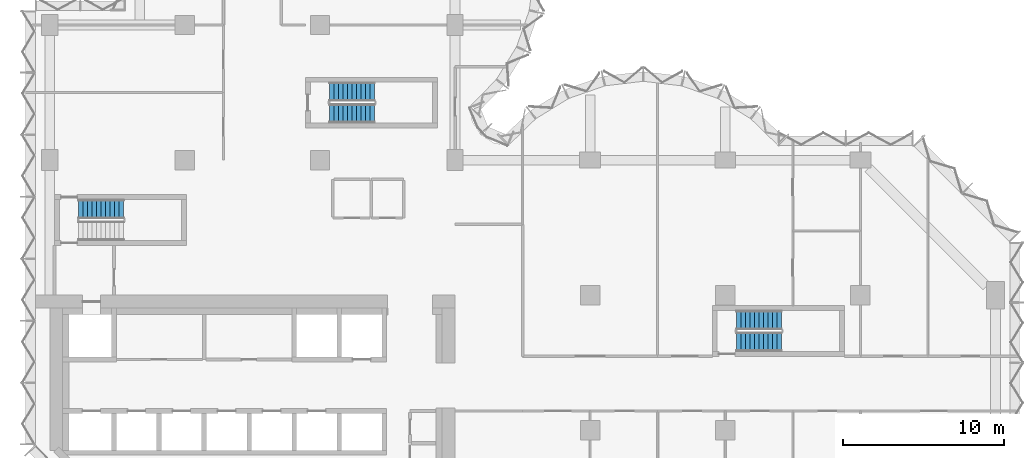
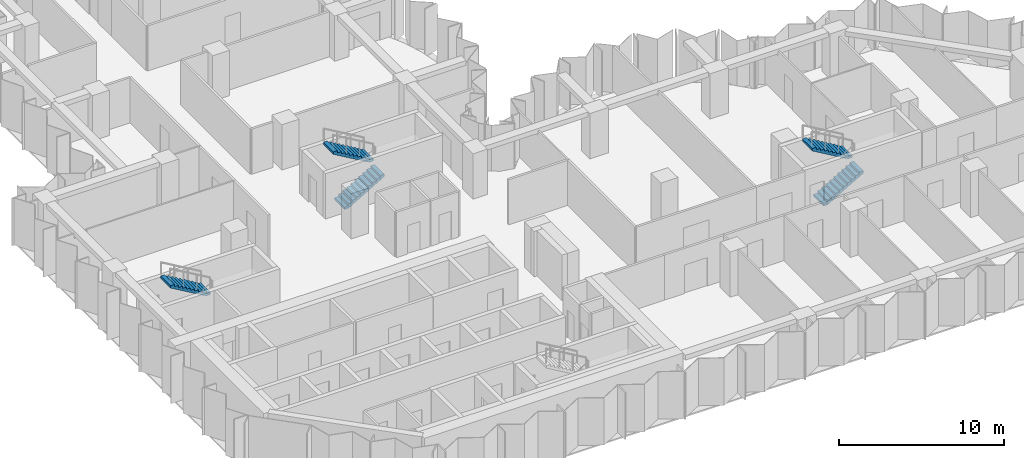
# One storey, part 9 of 11: 5 stair flights, 3 elements without a shape of their own.
"""IFC4 building model written with IfcOpenShell, lengths in metres."""

from ifc_helpers import new_model, si_unit, direction, frame, origin, place, context, subcontext, project, spatial, polyline, outline, extrude, material, type_object, element, aggregate, save


model = new_model("IFC4")

# Units and contexts
model_context = context("Model", 3, precision=1e-05, world=origin(), true_north=direction((0.0, 1.0)))
body_context = subcontext(model_context, "Body", "Model", "MODEL_VIEW")
ifc_project = project(units=[si_unit("LENGTHUNIT", "METRE"), si_unit("AREAUNIT", "SQUARE_METRE"), si_unit("VOLUMEUNIT", "CUBIC_METRE"), si_unit("PLANEANGLEUNIT", "RADIAN"), si_unit("MASSUNIT", "GRAM", prefix="KILO")], contexts=[model_context])

# Site, building, storey
site_placement = place(None, origin())
site = spatial("IfcSite", under=ifc_project, at=site_placement, CompositionType="ELEMENT")
building_placement = place(site_placement, origin())
building = spatial("IfcBuilding", under=site, at=building_placement, Name="Brevane Broadcast Tower", CompositionType="ELEMENT")
storey_placement = place(building_placement, frame((0.0, 0.0, 145.699951171875)))
storey = spatial("IfcBuildingStorey", under=building, at=storey_placement, Name="L36", CompositionType="ELEMENT", Elevation=145.699951171875)

# Stair, stair flight
ifc_material = material(Name="Concrete C50/60", Category="concrete")
stair_type = type_object("IfcStairType", Name="Exit stair 22 risers", PredefinedType="HALF_TURN_STAIR", material=ifc_material)
stair_1_placement = place(storey_placement, origin())
stair_1 = element("IfcStair", 1, at=stair_1_placement, inside=storey, type_object=stair_type, Name="L36 Exit stair ST-1", PredefinedType="HALF_TURN_STAIR")
stair_flight_type = type_object("IfcStairFlightType", Name="Exit stair flight 22 risers", PredefinedType="STRAIGHT", material=ifc_material)
stair_flight_1_placement = place(storey_placement, frame((4.60009765625, 22.14990234375, 1.800048828125), z_axis=(0.0, 0.0, 1.0), x_axis=(-1.0, 0.0, 0.0)))
stair_flight_1 = element("IfcStairFlight", 2, at=stair_flight_1_placement, type_object=stair_flight_type, Name="ST-1 flight 2", NumberOfRisers=11, NumberOfTreads=10, PredefinedType="STRAIGHT", RiserHeight=0.163636364, TreadLength=0.28, context=body_context, shape_type="SweptSolid", body=[
    extrude(outline(polyline([(0.0, 0.0), (0.0, 0.16357421875), (0.280029296875, 0.16357421875), (0.280029296875, 0.327392578125), (0.56005859375, 0.327392578125), (0.56005859375, 0.490966796875), (0.840087890625, 0.490966796875), (0.840087890625, 0.654541015625), (1.1201171875, 0.654541015625), (1.1201171875, 0.818115234375), (1.39990234375, 0.818115234375), (1.39990234375, 0.98193359375), (1.679931640625, 0.98193359375), (1.679931640625, 1.1455078125), (1.9599609375, 1.1455078125), (1.9599609375, 1.30908203125), (2.239990234375, 1.30908203125), (2.239990234375, 1.47265625), (2.52001953125, 1.47265625), (2.52001953125, 1.636474609375), (2.800048828125, 1.636474609375), (2.800048828125, 1.800048828125), (2.800048828125, 1.462646484375), (0.297119140625, 0.0), (0.0, 0.0)])), frame((0.0, 0.60009765625, 0.0), z_axis=(0.0, -1.0, 0.0), x_axis=(1.0, 0.0, 0.0)), (0.0, 0.0, 1.0), 1.199951171875),
])
aggregate(stair_1, [stair_flight_1])

# Stair, stair flights
stair_2_placement = place(storey_placement, origin())
stair_2 = element("IfcStair", 3, at=stair_2_placement, inside=storey, type_object=stair_type, Name="L36 Exit stair ST-3", PredefinedType="HALF_TURN_STAIR")
stair_flight_2_placement = place(storey_placement, frame((17.39990234375, 28.10009765625, 0.0), z_axis=(0.0, 0.0, 1.0), x_axis=(1.0, 0.0, 0.0)))
stair_flight_2 = element("IfcStairFlight", 4, at=stair_flight_2_placement, type_object=stair_flight_type, Name="ST-3 flight 1", NumberOfRisers=11, NumberOfTreads=10, PredefinedType="STRAIGHT", RiserHeight=0.163636364, TreadLength=0.28, context=body_context, shape_type="SweptSolid", body=[
    extrude(outline(polyline([(0.0, 0.0), (0.0, 0.16357421875), (0.280029296875, 0.16357421875), (0.280029296875, 0.327392578125), (0.56005859375, 0.327392578125), (0.56005859375, 0.490966796875), (0.840087890625, 0.490966796875), (0.840087890625, 0.654541015625), (1.1201171875, 0.654541015625), (1.1201171875, 0.818115234375), (1.39990234375, 0.818115234375), (1.39990234375, 0.98193359375), (1.679931640625, 0.98193359375), (1.679931640625, 1.1455078125), (1.9599609375, 1.1455078125), (1.9599609375, 1.30908203125), (2.239990234375, 1.30908203125), (2.239990234375, 1.47265625), (2.52001953125, 1.47265625), (2.52001953125, 1.636474609375), (2.800048828125, 1.636474609375), (2.800048828125, 1.800048828125), (2.800048828125, 1.462646484375), (0.297119140625, 0.0), (0.0, 0.0)])), frame((0.0, 0.60009765625, 0.0), z_axis=(0.0, -1.0, 0.0), x_axis=(1.0, 0.0, 0.0)), (0.0, 0.0, 1.0), 1.199951171875),
])
stair_flight_3_placement = place(storey_placement, frame((20.199951171875, 29.449951171875, 1.800048828125), z_axis=(0.0, 0.0, 1.0), x_axis=(-1.0, 0.0, 0.0)))
stair_flight_3 = element("IfcStairFlight", 5, at=stair_flight_3_placement, type_object=stair_flight_type, Name="ST-3 flight 2", NumberOfRisers=11, NumberOfTreads=10, PredefinedType="STRAIGHT", RiserHeight=0.163636364, TreadLength=0.28, context=body_context, shape_type="SweptSolid", body=[
    extrude(outline(polyline([(0.0, 0.0), (0.0, 0.16357421875), (0.280029296875, 0.16357421875), (0.280029296875, 0.327392578125), (0.56005859375, 0.327392578125), (0.56005859375, 0.490966796875), (0.840087890625, 0.490966796875), (0.840087890625, 0.654541015625), (1.1201171875, 0.654541015625), (1.1201171875, 0.818115234375), (1.39990234375, 0.818115234375), (1.39990234375, 0.98193359375), (1.679931640625, 0.98193359375), (1.679931640625, 1.1455078125), (1.9599609375, 1.1455078125), (1.9599609375, 1.30908203125), (2.239990234375, 1.30908203125), (2.239990234375, 1.47265625), (2.52001953125, 1.47265625), (2.52001953125, 1.636474609375), (2.800048828125, 1.636474609375), (2.800048828125, 1.800048828125), (2.800048828125, 1.462646484375), (0.297119140625, 0.0), (0.0, 0.0)])), frame((0.0, 0.60009765625, 0.0), z_axis=(0.0, -1.0, 0.0), x_axis=(1.0, 0.0, 0.0)), (0.0, 0.0, 1.0), 1.199951171875),
])
aggregate(stair_2, [stair_flight_2, stair_flight_3])

stair_3_placement = place(storey_placement, origin())
stair_3 = element("IfcStair", 6, at=stair_3_placement, inside=storey, type_object=stair_type, Name="L36 Exit stair ST-4", PredefinedType="HALF_TURN_STAIR")
stair_flight_4_placement = place(storey_placement, frame((42.699951171875, 13.89990234375, 0.0), z_axis=(0.0, 0.0, 1.0), x_axis=(1.0, 0.0, 0.0)))
stair_flight_4 = element("IfcStairFlight", 7, at=stair_flight_4_placement, type_object=stair_flight_type, Name="ST-4 flight 1", NumberOfRisers=11, NumberOfTreads=10, PredefinedType="STRAIGHT", RiserHeight=0.163636364, TreadLength=0.28, context=body_context, shape_type="SweptSolid", body=[
    extrude(outline(polyline([(0.0, 0.0), (0.0, 0.16357421875), (0.280029296875, 0.16357421875), (0.280029296875, 0.327392578125), (0.56005859375, 0.327392578125), (0.56005859375, 0.490966796875), (0.840087890625, 0.490966796875), (0.840087890625, 0.654541015625), (1.1201171875, 0.654541015625), (1.1201171875, 0.818115234375), (1.39990234375, 0.818115234375), (1.39990234375, 0.98193359375), (1.679931640625, 0.98193359375), (1.679931640625, 1.1455078125), (1.9599609375, 1.1455078125), (1.9599609375, 1.30908203125), (2.239990234375, 1.30908203125), (2.239990234375, 1.47265625), (2.52001953125, 1.47265625), (2.52001953125, 1.636474609375), (2.800048828125, 1.636474609375), (2.800048828125, 1.800048828125), (2.800048828125, 1.462646484375), (0.297119140625, 0.0), (0.0, 0.0)])), frame((0.0, 0.60009765625, 0.0), z_axis=(0.0, -1.0, 0.0), x_axis=(1.0, 0.0, 0.0)), (0.0, 0.0, 1.0), 1.199951171875),
])
stair_flight_5_placement = place(storey_placement, frame((45.5, 15.25, 1.800048828125), z_axis=(0.0, 0.0, 1.0), x_axis=(-1.0, 0.0, 0.0)))
stair_flight_5 = element("IfcStairFlight", 8, at=stair_flight_5_placement, type_object=stair_flight_type, Name="ST-4 flight 2", NumberOfRisers=11, NumberOfTreads=10, PredefinedType="STRAIGHT", RiserHeight=0.163636364, TreadLength=0.28, context=body_context, shape_type="SweptSolid", body=[
    extrude(outline(polyline([(0.0, 0.0), (0.0, 0.16357421875), (0.280029296875, 0.16357421875), (0.280029296875, 0.327392578125), (0.56005859375, 0.327392578125), (0.56005859375, 0.490966796875), (0.840087890625, 0.490966796875), (0.840087890625, 0.654541015625), (1.1201171875, 0.654541015625), (1.1201171875, 0.818115234375), (1.39990234375, 0.818115234375), (1.39990234375, 0.98193359375), (1.679931640625, 0.98193359375), (1.679931640625, 1.1455078125), (1.9599609375, 1.1455078125), (1.9599609375, 1.30908203125), (2.239990234375, 1.30908203125), (2.239990234375, 1.47265625), (2.52001953125, 1.47265625), (2.52001953125, 1.636474609375), (2.800048828125, 1.636474609375), (2.800048828125, 1.800048828125), (2.800048828125, 1.462646484375), (0.297119140625, 0.0), (0.0, 0.0)])), frame((0.0, 0.60009765625, 0.0), z_axis=(0.0, -1.0, 0.0), x_axis=(1.0, 0.0, 0.0)), (0.0, 0.0, 1.0), 1.199951171875),
])
aggregate(stair_3, [stair_flight_4, stair_flight_5])

save(model, "model.ifc")
